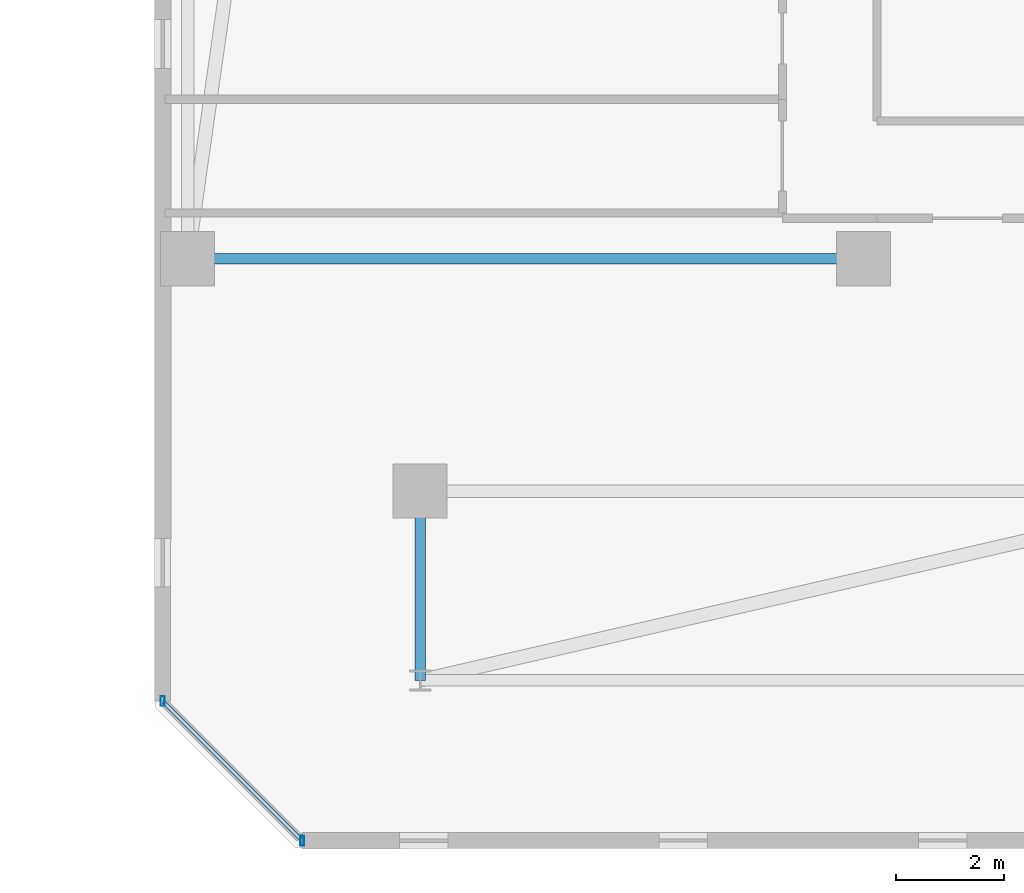
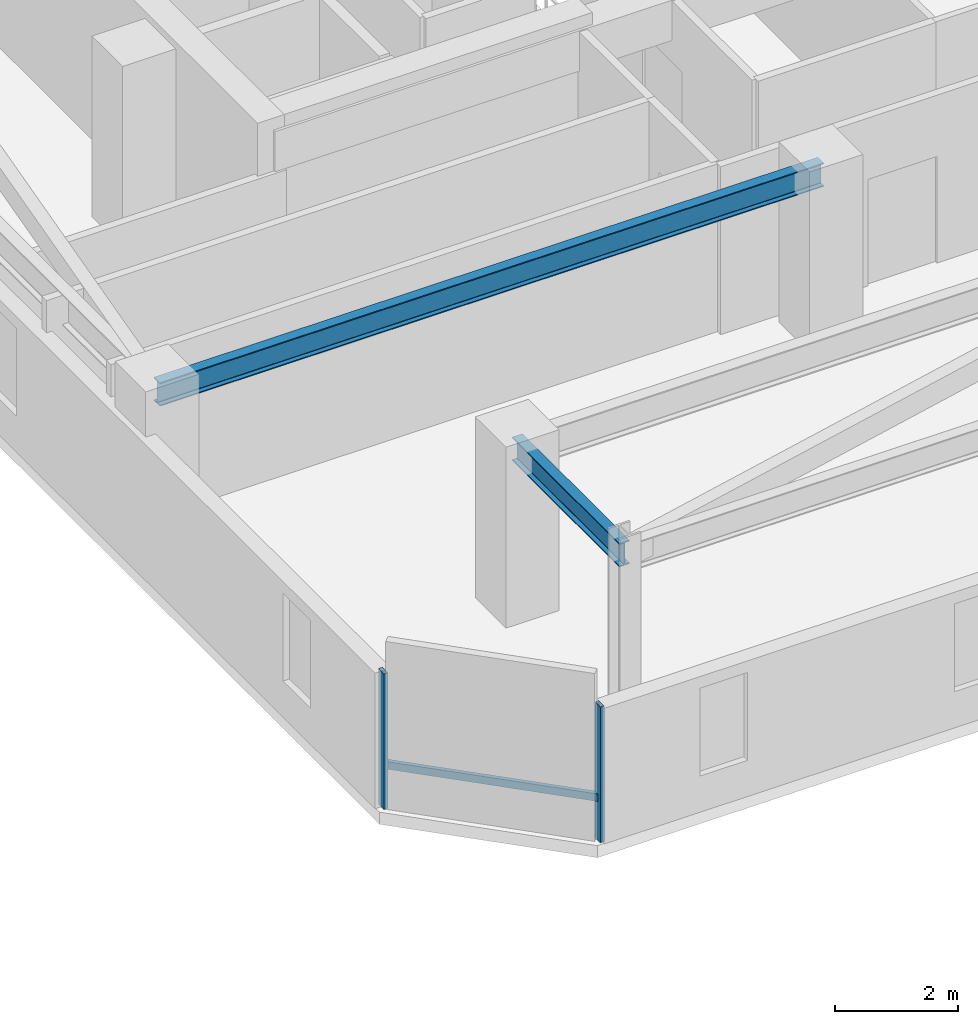
# One storey, part 10 of 32: 3 members, 2 beams, 1 element without a shape of its own.
"""IFC4 building model written with IfcOpenShell, lengths in metres."""

from ifc_helpers import new_model, si_unit, direction, frame, origin, origin_2d, place, context, subcontext, project, spatial, hollow_rectangle, i_section, extrude, material, material_profile, profile_set, type_object, element, aggregate, save


model = new_model("IFC4")

# Units and contexts
model_context = context("Model", 3, precision=1e-05, world=origin(), true_north=direction((0.0, 1.0)))
body_context = subcontext(model_context, "Body", "Model", "MODEL_VIEW")
ifc_project = project(units=[si_unit("LENGTHUNIT", "METRE"), si_unit("AREAUNIT", "SQUARE_METRE"), si_unit("VOLUMEUNIT", "CUBIC_METRE"), si_unit("PLANEANGLEUNIT", "RADIAN"), si_unit("MASSUNIT", "GRAM", prefix="KILO")], contexts=[model_context])

# Site, building, storey
site_placement = place(None, origin())
site = spatial("IfcSite", under=ifc_project, at=site_placement, CompositionType="ELEMENT")
building_placement = place(site_placement, origin())
building = spatial("IfcBuilding", under=site, at=building_placement, Name="Thornwick Lancets Civic Towers", CompositionType="ELEMENT")
storey_placement = place(building_placement, frame((0.0, 0.0, 240.300048828125)))
storey = spatial("IfcBuildingStorey", under=building, at=storey_placement, Name="L64", CompositionType="ELEMENT", Elevation=240.300048828125)

# Beams
ifc_material_1 = material(Name="Steel S355JR", Category="steel")
ifc_material_profile_1 = material_profile(ifc_material_1, i_section(OverallWidth=0.19287109375, OverallDepth=0.46728515625, WebThickness=0.011474609375, FlangeThickness=0.01953125, FilletRadius=0.01025390625, at=origin_2d()), Name="UKB 457x191x98")
ifc_profile_set_1 = profile_set([ifc_material_profile_1], Name="Steel S355JR")
beam_type = type_object("IfcBeamType", Name="BM_JOIST_457_98", PredefinedType="JOIST", material=ifc_profile_set_1)
beam_1_placement = place(storey_placement, frame((83.699951171875, 14.0, 3.12646484375), z_axis=(-1.0, 0.0, 0.0), x_axis=(0.0, -1.0, 0.0)))
element("IfcBeam", 1, at=beam_1_placement, inside=storey, type_object=beam_type, Name="BM-RADIN-L64-B07", PredefinedType="JOIST", context=body_context, shape_type="SweptSolid", body=[
    extrude(i_section(OverallWidth=0.19287109375, OverallDepth=0.46728515625, WebThickness=0.011474609375, FlangeThickness=0.01953125, FilletRadius=0.01025390625, at=origin_2d()), origin(), (0.0, 0.0, 1.0), 12.5),
])
beam_2_placement = place(storey_placement, frame((75.5, 9.699951171875, 3.12646484375), z_axis=(0.0, -1.0, 0.0), x_axis=(1.0, 0.0, 0.0)))
element("IfcBeam", 2, at=beam_2_placement, inside=storey, type_object=beam_type, Name="BM-RAD-L64-B12", PredefinedType="JOIST", context=body_context, shape_type="SweptSolid", body=[
    extrude(i_section(OverallWidth=0.19287109375, OverallDepth=0.46728515625, WebThickness=0.011474609375, FlangeThickness=0.01953125, FilletRadius=0.01025390625, at=origin_2d()), origin(), (0.0, 0.0, 1.0), 3.5),
])

# Curtain wall, members
ifc_material_2 = material(Name="High-zone chamfered-corner unitised glass curtain wall", Category="glass")
curtain_wall_type = type_object("IfcCurtainWallType", Name="CW_SYS_05", PredefinedType="NOTDEFINED", material=ifc_material_2)
curtain_wall_placement = place(storey_placement, origin())
curtain_wall = element("IfcCurtainWall", 3, at=curtain_wall_placement, inside=storey, type_object=curtain_wall_type, Name="L64 Curtain Wall CW-L64-B-E7", PredefinedType="NOTDEFINED")
ifc_material_3 = material(Name="Thermally broken bronze aluminium S355", Category="steel")
ifc_material_profile_2 = material_profile(ifc_material_3, hollow_rectangle(XDim=0.074951171875, YDim=0.179931640625, WallThickness=0.006103515625, at=origin_2d()), Name="RHS 180x75x6")
ifc_profile_set_2 = profile_set([ifc_material_profile_2], Name="Thermally broken bronze aluminium S355")
member_type_1 = type_object("IfcMemberType", Name="CW_MUL_180", PredefinedType="MULLION", material=ifc_profile_set_2)
member_1_placement = place(storey_placement, frame((70.7353515625, 5.818603515625, 0.0), z_axis=(0.0, 0.0, 1.0), x_axis=(1.0, 0.0, 0.0)))
member_1 = element("IfcMember", 4, at=member_1_placement, type_object=member_type_1, Name="CW-L64-B-E7 Mullion 0", PredefinedType="MULLION", context=body_context, shape_type="SweptSolid", body=[
    extrude(hollow_rectangle(XDim=0.074951171875, YDim=0.179931640625, WallThickness=0.006103515625, at=origin_2d()), origin(), (0.0, 0.0, 1.0), 2.699951171875),
])
member_2_placement = place(storey_placement, frame((73.318603515625, 3.2353515625, 0.0), z_axis=(0.0, 0.0, 1.0), x_axis=(1.0, 0.0, 0.0)))
member_2 = element("IfcMember", 5, at=member_2_placement, type_object=member_type_1, Name="CW-L64-B-E7 Mullion 1", PredefinedType="MULLION", context=body_context, shape_type="SweptSolid", body=[
    extrude(hollow_rectangle(XDim=0.074951171875, YDim=0.179931640625, WallThickness=0.006103515625, at=origin_2d()), origin(), (0.0, 0.0, 1.0), 2.699951171875),
])
ifc_material_profile_3 = material_profile(ifc_material_3, hollow_rectangle(XDim=0.074951171875, YDim=0.14990234375, WallThickness=0.0048828125, at=origin_2d()), Name="RHS 150x75x5")
ifc_profile_set_3 = profile_set([ifc_material_profile_3], Name="Thermally broken bronze aluminium S355")
member_type_2 = type_object("IfcMemberType", Name="CW_TRN_150", PredefinedType="USERDEFINED", material=ifc_profile_set_3)
member_3_placement = place(storey_placement, frame((70.74951171875, 5.804443359375, 0.849853515625), z_axis=(0.707106781187, -0.707106781187, 0.0), x_axis=(0.707106781187, 0.707106781187, 0.0)))
member_3 = element("IfcMember", 6, at=member_3_placement, type_object=member_type_2, Name="CW-L64-B-E7 Transom 0", ObjectType="TRANSOM", PredefinedType="USERDEFINED", context=body_context, shape_type="SweptSolid", body=[
    extrude(hollow_rectangle(XDim=0.074951171875, YDim=0.14990234375, WallThickness=0.0048828125, at=origin_2d()), origin(), (0.0, 0.0, 1.0), 3.61328125),
])
aggregate(curtain_wall, [member_1, member_2, member_3])

save(model, "model.ifc")
